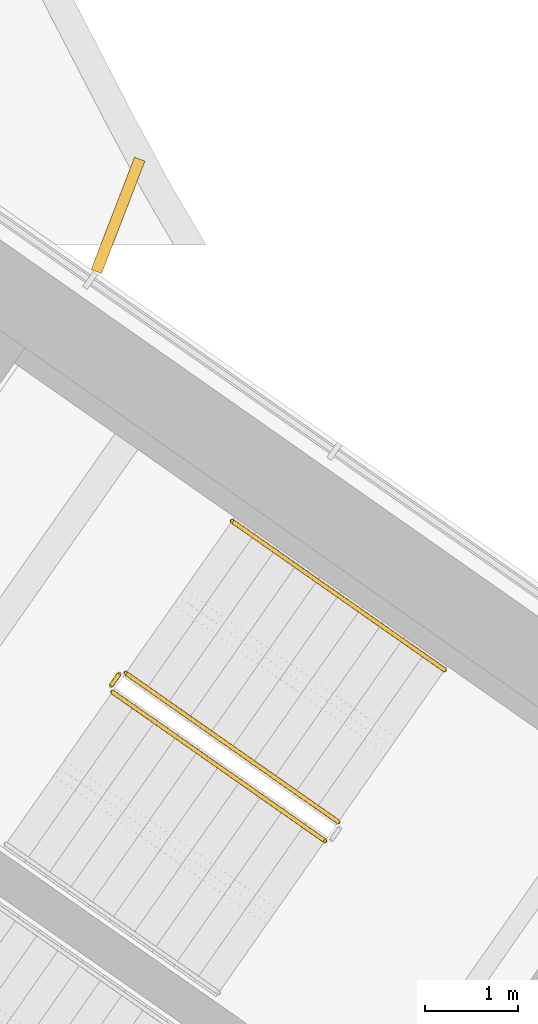
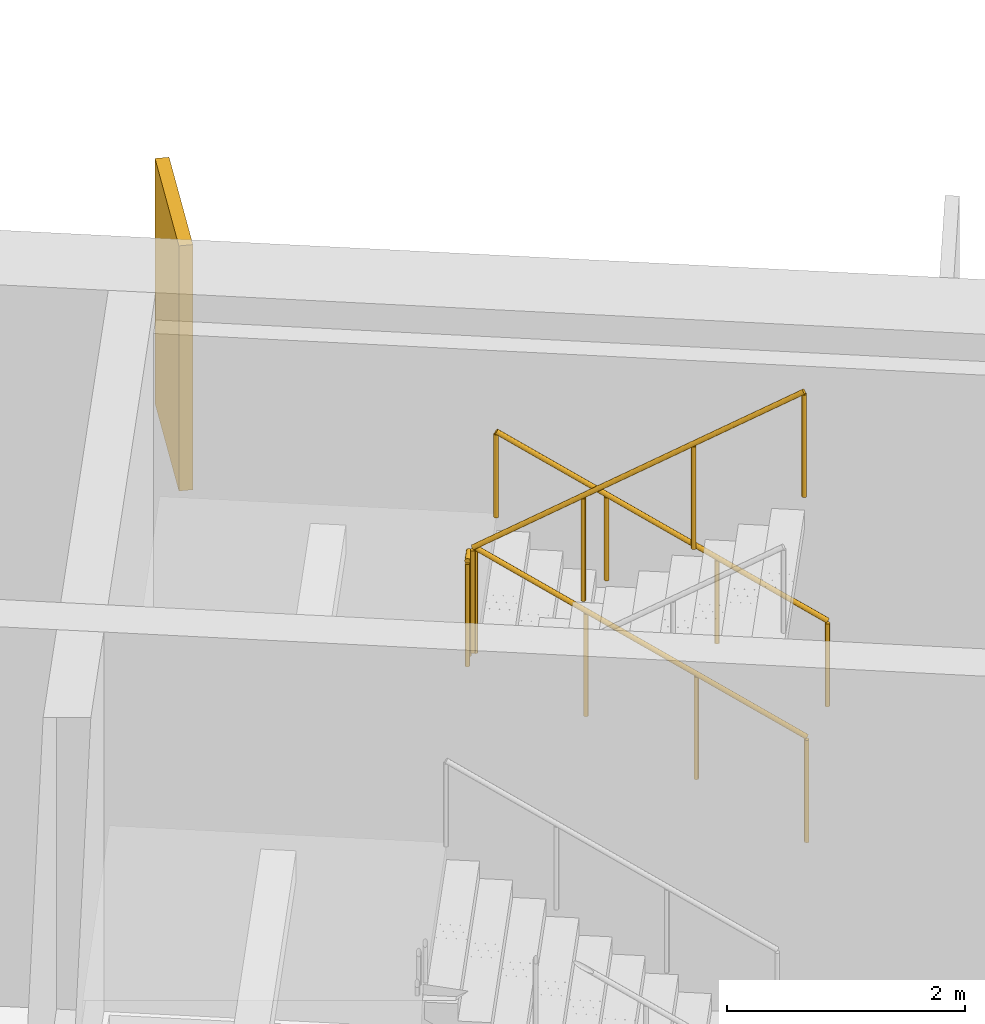
# One storey, part 21 of 23: 4 railings, 1 shading device.
"""IFC4 building model written with IfcOpenShell, lengths in metres."""

from ifc_helpers import new_model, si_unit, direction, frame, origin, origin_2d, place, context, subcontext, project, spatial, rectangle, circle, extrude, material, layer, layer_set, type_object, element, save


model = new_model("IFC4")

# Units and contexts
model_context = context("Model", 3, precision=1e-05, world=origin(), true_north=direction((0.0, 1.0)))
body_context = subcontext(model_context, "Body", "Model", "MODEL_VIEW")
ifc_project = project(units=[si_unit("LENGTHUNIT", "METRE"), si_unit("AREAUNIT", "SQUARE_METRE"), si_unit("VOLUMEUNIT", "CUBIC_METRE"), si_unit("PLANEANGLEUNIT", "RADIAN"), si_unit("MASSUNIT", "GRAM", prefix="KILO")], contexts=[model_context])

# Site, building, storey
site_placement = place(None, origin())
site = spatial("IfcSite", under=ifc_project, at=site_placement, CompositionType="ELEMENT")
building_placement = place(site_placement, origin())
building = spatial("IfcBuilding", under=site, at=building_placement, Name="Tel Ilan Convention Tower", CompositionType="ELEMENT")
storey_placement = place(building_placement, frame((0.0, 0.0, 190.5)))
storey = spatial("IfcBuildingStorey", under=building, at=storey_placement, Name="L44", CompositionType="ELEMENT", Elevation=190.5)

# Shading device
ifc_material_1 = material(Name="Aluminium, bronze anodised", Category="aluminium")
ifc_layer = layer(ifc_material_1, 0.1201171875)
ifc_layer_set = layer_set([ifc_layer], Name="FIN BRONZE 1300x120")
shading_device_type = type_object("IfcShadingDeviceType", Name="FIN BRONZE 1300x120", PredefinedType="USERDEFINED", material=ifc_layer_set)
shading_device_placement = place(storey_placement, frame((21.302978515625, -1.31103515625, 1.10009765625), z_axis=(0.0, 0.0, 1.0), x_axis=(0.360177724803, 0.932883704733, 0.0)))
element("IfcShadingDevice", 1, at=shading_device_placement, inside=storey, type_object=shading_device_type, Name="FIN", ObjectType="FIN", PredefinedType="USERDEFINED", context=body_context, shape_type="SweptSolid", body=[
    extrude(rectangle(XDim=1.300048828125, YDim=0.1201171875, at=origin_2d()), origin(), (0.0, 0.0, 1.0), 2.52001953125),
])

# Railings
ifc_material_2 = material(Name="Stainless Steel Grade 316", Category="steel")
railing_type_1 = type_object("IfcRailingType", Name="Stainless Steel Stair Guard 1100 mm", PredefinedType="GUARDRAIL", material=ifc_material_2)
railing_1_placement = place(storey_placement, frame((23.6787109375, -7.8515625, 0.17724609375)))
element("IfcRailing", 2, at=railing_1_placement, inside=storey, type_object=railing_type_1, Name="L44 S3 stair guard 1", PredefinedType="GUARDRAIL", context=body_context, shape_type="SweptSolid", body=[
    extrude(circle(Radius=0.02392578125, at=origin_2d()), frame((0.0, 0.0, 1.076171875), z_axis=(-0.692084706163, 0.484621375041, 0.534940073605), x_axis=(-0.573591086599, -0.819141785879, 0.0)), (0.0, 0.0, 1.0), 3.313720703125),
    extrude(circle(Radius=0.02099609375, at=origin_2d()), origin(), (0.0, 0.0, 1.0), 1.052001953125),
    extrude(circle(Radius=0.02099609375, at=origin_2d()), frame((-0.764404296875, 0.535400390625, 0.5908203125)), (0.0, 0.0, 1.0), 1.052001953125),
    extrude(circle(Radius=0.02099609375, at=origin_2d()), frame((-1.529052734375, 1.070556640625, 1.181884765625)), (0.0, 0.0, 1.0), 1.052001953125),
    extrude(circle(Radius=0.02099609375, at=origin_2d()), frame((-2.29345703125, 1.60595703125, 1.772705078125)), (0.0, 0.0, 1.0), 1.052001953125),
])
railing_2_placement = place(storey_placement, frame((21.3154296875, -6.2578125, 1.949951171875)))
element("IfcRailing", 3, at=railing_2_placement, inside=storey, type_object=railing_type_1, Name="L44 S3 stair guard 2", PredefinedType="GUARDRAIL", context=body_context, shape_type="SweptSolid", body=[
    extrude(circle(Radius=0.02392578125, at=origin_2d()), frame((0.0, 0.0, 1.076171875), z_axis=(-0.573353020881, -0.819308436089, 0.0), x_axis=(0.819308436089, -0.573353020881, 0.0)), (0.0, 0.0, 1.0), 0.14990234375),
    extrude(circle(Radius=0.02099609375, at=origin_2d()), origin(), (0.0, 0.0, 1.0), 1.052001953125),
    extrude(circle(Radius=0.02099609375, at=origin_2d()), frame((-0.0859375, -0.122802734375, 0.0)), (0.0, 0.0, 1.0), 1.052001953125),
])
railing_3_placement = place(storey_placement, frame((21.24169921875, -6.4501953125, 2.127197265625)))
element("IfcRailing", 4, at=railing_3_placement, inside=storey, type_object=railing_type_1, Name="L44 S3 stair guard 3", PredefinedType="GUARDRAIL", context=body_context, shape_type="SweptSolid", body=[
    extrude(circle(Radius=0.02392578125, at=origin_2d()), frame((0.0, 0.0, 1.076171875), z_axis=(0.692098378994, -0.484653031975, 0.534893701956), x_axis=(0.573608623498, 0.819129505664, 0.0)), (0.0, 0.0, 1.0), 3.314208984375),
    extrude(circle(Radius=0.02099609375, at=origin_2d()), origin(), (0.0, 0.0, 1.0), 1.052001953125),
    extrude(circle(Radius=0.02099609375, at=origin_2d()), frame((0.7646484375, -0.535400390625, 0.5908203125)), (0.0, 0.0, 1.0), 1.052001953125),
    extrude(circle(Radius=0.02099609375, at=origin_2d()), frame((1.529052734375, -1.07080078125, 1.181884765625)), (0.0, 0.0, 1.0), 1.052001953125),
    extrude(circle(Radius=0.02099609375, at=origin_2d()), frame((2.293701171875, -1.606201171875, 1.772705078125)), (0.0, 0.0, 1.0), 1.052001953125),
])
ifc_material_3 = material(Name="Stainless Steel Grade 316", Category="steel")
railing_type_2 = type_object("IfcRailingType", Name="Stainless Steel Stair Handrail 900 mm", PredefinedType="HANDRAIL", material=ifc_material_3)
railing_4_placement = place(storey_placement, frame((24.825927734375, -6.213134765625, 0.17724609375)))
element("IfcRailing", 5, at=railing_4_placement, inside=storey, type_object=railing_type_2, Name="L44 S3 stair handrail 1", PredefinedType="HANDRAIL", context=body_context, shape_type="SweptSolid", body=[
    extrude(circle(Radius=0.02392578125, at=origin_2d()), frame((0.0, 0.0, 0.8759765625), z_axis=(-0.692123088272, 0.484596665743, 0.534912798717), x_axis=(-0.573550118428, -0.819170471667, 0.0)), (0.0, 0.0, 1.0), 3.31396484375),
    extrude(circle(Radius=0.02099609375, at=origin_2d()), origin(), (0.0, 0.0, 1.0), 0.851806640625),
    extrude(circle(Radius=0.02099609375, at=origin_2d()), frame((-0.7646484375, 0.535400390625, 0.5908203125)), (0.0, 0.0, 1.0), 0.851806640625),
    extrude(circle(Radius=0.02099609375, at=origin_2d()), frame((-1.529052734375, 1.070556640625, 1.181884765625)), (0.0, 0.0, 1.0), 0.851806640625),
    extrude(circle(Radius=0.02099609375, at=origin_2d()), frame((-2.293701171875, 1.60595703125, 1.772705078125)), (0.0, 0.0, 1.0), 0.851806640625),
])

save(model, "model.ifc")
